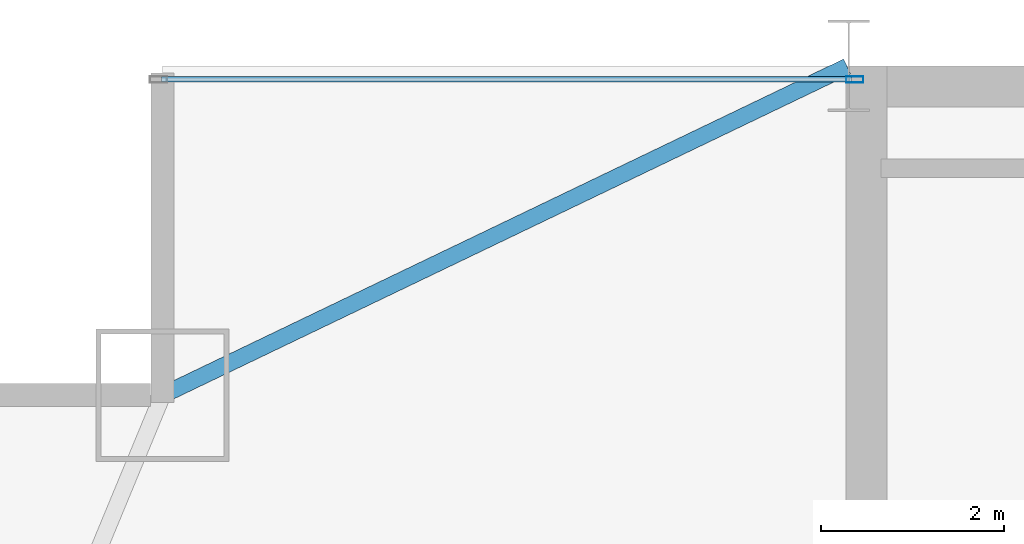
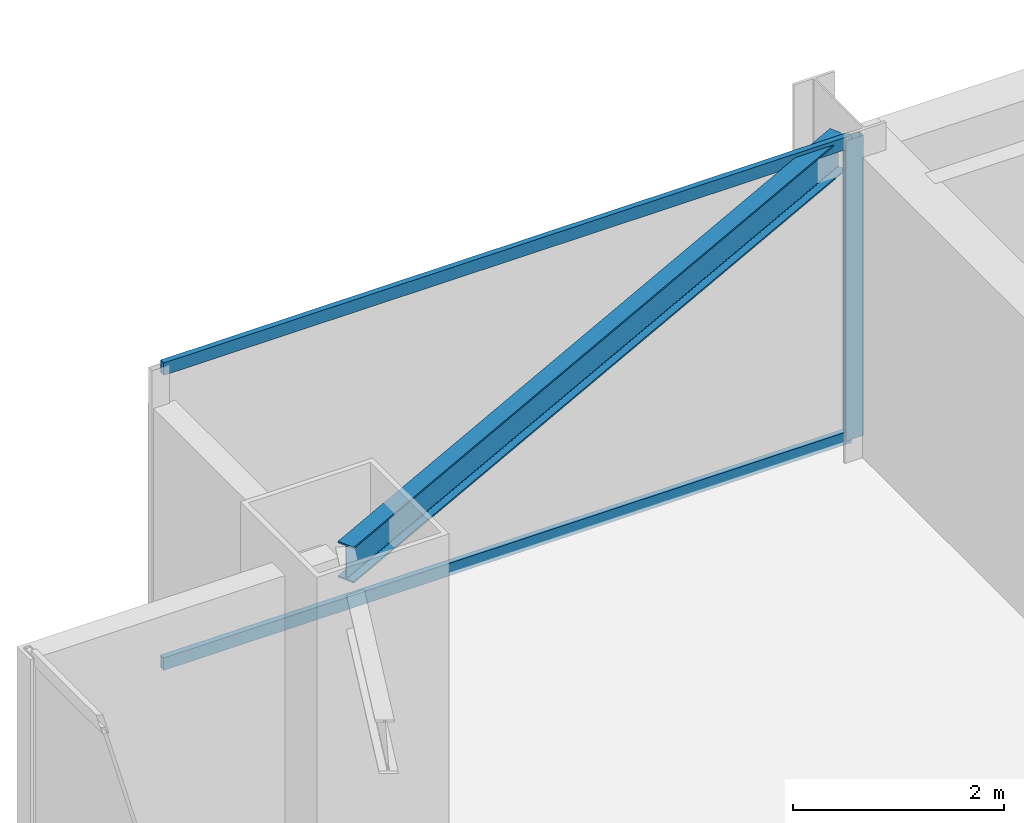
# One storey, part 22 of 33: 3 members, 1 beam, 1 element without a shape of its own.
"""IFC4 building model written with IfcOpenShell, lengths in metres."""

import ifcopenshell
import ifcopenshell.guid

model = None  # the IFC model being written
_history = None  # IfcOwnerHistory: only IFC2X3 demands one
_inside = {}  # id of a spatial element -> (the spatial element, [elements in it])
_under = {}  # id of a project, library or spatial element -> (it, [spatial elements below it])
_declared = {}  # id of a project -> (the project, [libraries it declares])
_typed = {}  # id of a type object -> (the type object, [elements of that type])
_made_of = {}  # id of a material, layer set ... -> (it, [elements and type objects made of it])


def new_model(schema):
    """Start an empty IFC model of exactly this schema.

    Asked for "IFC4X3", IfcOpenShell would pick the latest addendum, in which some entities
    have other attributes; the version numbers below select the first issue.
    IFC2X3 requires an IfcOwnerHistory on every rooted entity: one is made here for all.
    """
    global model, _history
    if schema == "IFC4X3":
        model = ifcopenshell.file(schema_version=(4, 3, 0, 0))
    else:
        model = ifcopenshell.file(schema=schema)
    _inside.clear()
    _under.clear()
    _declared.clear()
    _typed.clear()
    _made_of.clear()
    _history = None
    if model.schema == "IFC2X3":
        org = make("IfcOrganization", Name="unknown")
        user = make(
            "IfcPersonAndOrganization",
            ThePerson=make("IfcPerson", FamilyName="unknown"),
            TheOrganization=org,
        )
        app = make(
            "IfcApplication",
            ApplicationDeveloper=org,
            Version="unknown",
            ApplicationFullName="unknown",
            ApplicationIdentifier="unknown",
        )
        _history = make(
            "IfcOwnerHistory",
            OwningUser=user,
            OwningApplication=app,
            ChangeAction="ADDED",
            CreationDate=0,
        )
    return model


def make(cls, **values):
    """One entity of the class cls with the attributes given. An attribute that is None is left unset."""
    return model.create_entity(
        cls, **{name: value for name, value in values.items() if value is not None}
    )


def rooted(cls, **values):
    """An entity with a GlobalId (a new one), such as an element, a storey or a relation."""
    return make(cls, GlobalId=ifcopenshell.guid.new(), OwnerHistory=_history, **values)


def si_unit(unit_type, name, prefix=None):
    """IfcSIUnit, for example si_unit("LENGTHUNIT", "METRE", prefix="MILLI")."""
    return make("IfcSIUnit", UnitType=unit_type, Prefix=prefix, Name=name)


def assignment(units):
    """IfcUnitAssignment: the units of a project."""
    return None if units is None else make("IfcUnitAssignment", Units=units)


def point(xyz):
    """IfcCartesianPoint."""
    return None if xyz is None else make("IfcCartesianPoint", Coordinates=xyz)


def direction(xyz):
    """IfcDirection."""
    return None if xyz is None else make("IfcDirection", DirectionRatios=xyz)


def frame(location, z_axis=None, x_axis=None):
    """IfcAxis2Placement3D, a coordinate frame: its origin and axes. An axis left out is left unset."""
    return make(
        "IfcAxis2Placement3D",
        Location=point(location),
        Axis=direction(z_axis),
        RefDirection=direction(x_axis),
    )


def frame_2d(location, x_axis=None):
    """IfcAxis2Placement2D, a coordinate frame in the plane: its origin and x axis."""
    return make(
        "IfcAxis2Placement2D", Location=point(location), RefDirection=direction(x_axis)
    )


def origin():
    """The frame at (0, 0, 0) with its axes left unset."""
    return frame((0.0, 0.0, 0.0))


def origin_2d():
    """The frame at (0, 0) in the plane with its x axis left unset."""
    return frame_2d((0.0, 0.0))


def place(relative_to, where):
    """IfcLocalPlacement: puts the frame where relative to a parent placement (None: the world)."""
    return make(
        "IfcLocalPlacement", PlacementRelTo=relative_to, RelativePlacement=where
    )


def context(
    kind, dimensions, precision=None, world=None, true_north=None, identifier=None
):
    """IfcGeometricRepresentationContext, for example the 3D "Model" context."""
    return make(
        "IfcGeometricRepresentationContext",
        ContextIdentifier=identifier,
        ContextType=kind,
        CoordinateSpaceDimension=dimensions,
        Precision=precision,
        WorldCoordinateSystem=world,
        TrueNorth=true_north,
    )


def subcontext(parent, identifier, kind, view, scale=None):
    """IfcGeometricRepresentationSubContext, for example "Body" below "Model"."""
    return make(
        "IfcGeometricRepresentationSubContext",
        ContextIdentifier=identifier,
        ContextType=kind,
        ParentContext=parent,
        TargetScale=scale,
        TargetView=view,
    )


def project(units=None, contexts=None):
    """IfcProject with its units and contexts."""
    return rooted(
        "IfcProject",
        Name="project",
        RepresentationContexts=contexts,
        UnitsInContext=assignment(units),
    )


def spatial(cls, under=None, at=None, **own):
    """A site, building, storey or space (cls), placed at a placement, below another one or the project."""
    s = rooted(cls, ObjectPlacement=at, **own)
    if under is not None:
        _under.setdefault(under.id(), (under, []))[1].append(s)
    return s


def profile(cls, at=None, kind="AREA", **sizes):
    """A parametric profile (cls). Its sizes go by their IFC names, for example OverallWidth=200.0."""
    return make(cls, ProfileType=kind, Position=at, **sizes)


def hollow_rectangle(**sizes):
    """IfcRectangleHollowProfileDef."""
    return profile("IfcRectangleHollowProfileDef", **sizes)


def i_section(**sizes):
    """IfcIShapeProfileDef."""
    return profile("IfcIShapeProfileDef", **sizes)


def extrude(swept, where, along, depth):
    """IfcExtrudedAreaSolid: the profile swept, set in the frame where, extruded along a direction by depth."""
    return make(
        "IfcExtrudedAreaSolid",
        SweptArea=swept,
        Position=where,
        ExtrudedDirection=direction(along),
        Depth=depth,
    )


def shape(context_of_items, identifier, shape_type, items):
    """IfcShapeRepresentation: the items that make up one representation, for example the "Body"."""
    return make(
        "IfcShapeRepresentation",
        ContextOfItems=context_of_items,
        RepresentationIdentifier=identifier,
        RepresentationType=shape_type,
        Items=items,
    )


def source(mapping_origin, context_of_items, identifier, shape_type, items):
    """IfcRepresentationMap: a shape defined once, which mapped items show again and again."""
    return make(
        "IfcRepresentationMap",
        MappingOrigin=mapping_origin,
        MappedRepresentation=shape(context_of_items, identifier, shape_type, items),
    )


def transform(
    local_origin,
    x_axis=None,
    y_axis=None,
    z_axis=None,
    scale=None,
    scale2=None,
    scale3=None,
    uniform=True,
):
    """IfcCartesianTransformationOperator3D, or its non-uniform kind. x_axis, y_axis, z_axis: its Axis1, 2, 3."""
    if uniform:
        return make(
            "IfcCartesianTransformationOperator3D",
            Axis1=direction(x_axis),
            Axis2=direction(y_axis),
            LocalOrigin=point(local_origin),
            Scale=scale,
            Axis3=direction(z_axis),
        )
    return make(
        "IfcCartesianTransformationOperator3DnonUniform",
        Axis1=direction(x_axis),
        Axis2=direction(y_axis),
        LocalOrigin=point(local_origin),
        Scale=scale,
        Axis3=direction(z_axis),
        Scale2=scale2,
        Scale3=scale3,
    )


def mapped(mapping_source, mapping_target):
    """IfcMappedItem: shows the shape of a source again, moved by a transform."""
    return make(
        "IfcMappedItem", MappingSource=mapping_source, MappingTarget=mapping_target
    )


def material(Name=None, Category=None):
    """IfcMaterial."""
    return make("IfcMaterial", Name=Name, Category=Category)


def layer(
    of_material, thickness, ventilated=None, Name=None, Category=None, Priority=None
):
    """IfcMaterialLayer: one layer of a wall or slab, of a material (None: an air gap)."""
    return make(
        "IfcMaterialLayer",
        Material=of_material,
        LayerThickness=thickness,
        IsVentilated=ventilated,
        Name=Name,
        Category=Category,
        Priority=Priority,
    )


def layer_set(layers, Name=None):
    """IfcMaterialLayerSet."""
    return make("IfcMaterialLayerSet", MaterialLayers=layers, LayerSetName=Name)


def material_profile(
    of_material, cross_section, Name=None, Category=None, Priority=None
):
    """IfcMaterialProfile: a cross section and its material."""
    return make(
        "IfcMaterialProfile",
        Name=Name,
        Material=of_material,
        Profile=cross_section,
        Priority=Priority,
        Category=Category,
    )


def profile_set(profiles, Name=None, composite=None):
    """IfcMaterialProfileSet."""
    return make(
        "IfcMaterialProfileSet",
        Name=Name,
        MaterialProfiles=profiles,
        CompositeProfile=composite,
    )


def made_of(thing, what):
    """Note that an element or type object is made of a material, layer set ...; save() writes the relation."""
    if what is not None:
        _made_of.setdefault(what.id(), (what, []))[1].append(thing)
    return thing


def type_object(cls, material=None, **own):
    """A type object (cls), such as IfcWallType, which elements share."""
    return made_of(rooted(cls, **own), material)


def type_shapes(of_type, sources):
    """Give a type object the sources (RepresentationMaps) that its elements show as mapped items."""
    of_type.RepresentationMaps = sources


def element(
    cls,
    number,
    at=None,
    inside=None,
    cuts=None,
    type_object=None,
    material=None,
    context=None,
    identifier="Body",
    shape_type=None,
    held_by="IfcProductDefinitionShape",
    body=None,
    shapes=None,
    **own,
):
    """One element of the class cls, such as IfcWall. Its Tag is "e" and its number.

    at: its placement. inside: the storey or other place that contains it. cuts: it is an
    opening in that element (IfcRelVoidsElement). A single representation is given by context,
    identifier, shape_type and body (its items); several are given by shapes. held_by: the class
    of the entity that holds the representations. save() writes the other relations.
    """
    e = rooted(cls, Tag="e%d" % number, ObjectPlacement=at, **own)
    if body is not None:
        shapes = [shape(context, identifier, shape_type, body)]
    if shapes is not None:
        e.Representation = make(held_by, Representations=shapes)
    if inside is not None:
        _inside.setdefault(inside.id(), (inside, []))[1].append(e)
    if cuts is not None:
        rooted(
            "IfcRelVoidsElement", RelatingBuildingElement=cuts, RelatedOpeningElement=e
        )
    if type_object is not None:
        _typed.setdefault(type_object.id(), (type_object, []))[1].append(e)
    return made_of(e, material)


def aggregate(whole, parts):
    """IfcRelAggregates: a whole, such as a stair, and the parts it consists of."""
    return rooted("IfcRelAggregates", RelatingObject=whole, RelatedObjects=parts)


def save(model, path):
    """Write the relations noted so far, then the file.

    IfcRelAggregates (storeys below a building ...), IfcRelContainedInSpatialStructure (elements
    in a storey), IfcRelDefinesByType, IfcRelAssociatesMaterial and IfcRelDeclares: one each for
    every whole, place, type object, material and project.
    """
    for whole, parts in _under.values():
        aggregate(whole, parts)
    for where, things in _inside.values():
        rooted(
            "IfcRelContainedInSpatialStructure",
            RelatedElements=things,
            RelatingStructure=where,
        )
    for kind, things in _typed.values():
        rooted("IfcRelDefinesByType", RelatedObjects=things, RelatingType=kind)
    for what, things in _made_of.values():
        rooted("IfcRelAssociatesMaterial", RelatedObjects=things, RelatingMaterial=what)
    for by, libraries in _declared.values():
        rooted("IfcRelDeclares", RelatingContext=by, RelatedDefinitions=libraries)
    model.write(path)


model = new_model("IFC4")

# Units and contexts
model_context = context("Model", 3, precision=1e-05, world=origin(), true_north=direction((0.0, 1.0)))
body_context = subcontext(model_context, "Body", "Model", "MODEL_VIEW")
ifc_project = project(units=[si_unit("LENGTHUNIT", "METRE"), si_unit("AREAUNIT", "SQUARE_METRE"), si_unit("VOLUMEUNIT", "CUBIC_METRE"), si_unit("PLANEANGLEUNIT", "RADIAN"), si_unit("MASSUNIT", "GRAM", prefix="KILO")], contexts=[model_context])

# Site, building, storey
site_placement = place(None, origin())
site = spatial("IfcSite", under=ifc_project, at=site_placement, CompositionType="ELEMENT")
building_placement = place(site_placement, origin())
building = spatial("IfcBuilding", under=site, at=building_placement, Name="Varnel Quay Broadcast Tower", CompositionType="ELEMENT")
storey_placement = place(building_placement, frame((0.0, 0.0, 137.199951171875)))
storey = spatial("IfcBuildingStorey", under=building, at=storey_placement, Name="L33", CompositionType="ELEMENT", Elevation=137.199951171875)

# Beam
ifc_material_1 = material(Name="Structural Steel CSA G40.21 350W", Category="steel")
ifc_material_profile_1 = material_profile(ifc_material_1, i_section(OverallWidth=0.180908203125, OverallDepth=0.4169921875, WebThickness=0.010986328125, FlangeThickness=0.018310546875, FilletRadius=0.011962890625, at=origin_2d()), Name="W410X85")
ifc_profile_set_1 = profile_set([ifc_material_profile_1], Name="Structural Steel CSA G40.21 350W")
beam_type = type_object("IfcBeamType", Name="Beam_W410X85", PredefinedType="SPANDREL", material=ifc_profile_set_1)
shared_shape_1 = source(origin(), body_context, "Body", "SweptSolid", [
    extrude(i_section(OverallWidth=0.180908203125, OverallDepth=0.4169921875, WebThickness=0.010986328125, FlangeThickness=0.018310546875, FilletRadius=0.011962890625, at=origin_2d()), origin(), (0.0, 0.0, 1.0), 8.279296875),
])
type_shapes(beam_type, [shared_shape_1])
beam_placement = place(storey_placement, frame((8.117919921875, 43.208740234375, 3.271484375), z_axis=(0.901535021024, 0.432706142626, 0.0), x_axis=(-0.432706142626, 0.901535021024, 0.0)))
element("IfcBeam", 1, at=beam_placement, inside=storey, type_object=beam_type, Name="L33 NW Tie Spandrel", PredefinedType="SPANDREL", context=body_context, shape_type="MappedRepresentation", body=[
    mapped(shared_shape_1, transform((0.0, 0.0, 0.0), x_axis=(1.0, 0.0, 0.0), y_axis=(0.0, 1.0, 0.0), z_axis=(0.0, 0.0, 1.0), scale=1.0)),
])

# Curtain wall, members
ifc_material_2 = material(Name="Anodised Bronze Aluminium 6063-T6", Category="aluminium")
ifc_layer = layer(ifc_material_2, 0.18994140625, Name="Anodised Bronze Aluminium 6063-T6")
ifc_layer_set = layer_set([ifc_layer], Name="Anodised Bronze Aluminium 6063-T6")
curtain_wall_type = type_object("IfcCurtainWallType", Name="CW_LowerTower", PredefinedType="NOTDEFINED", material=ifc_layer_set)
curtain_wall_placement = place(storey_placement, origin())
curtain_wall = element("IfcCurtainWall", 2, at=curtain_wall_placement, inside=storey, type_object=curtain_wall_type, Name="L33 NW Wing Curtain Wall", PredefinedType="NOTDEFINED")
ifc_material_profile_2 = material_profile(ifc_material_2, hollow_rectangle(XDim=0.06005859375, YDim=0.14501953125, WallThickness=0.00341796875, at=origin_2d()), Name="ALU60X145X3.5")
ifc_profile_set_2 = profile_set([ifc_material_profile_2], Name="Anodised Bronze Aluminium 6063-T6")
member_type_1 = type_object("IfcMemberType", Name="Tran_CWS-02", PredefinedType="USERDEFINED", material=ifc_profile_set_2)
shared_shape_2 = source(origin(), body_context, "Body", "SweptSolid", [
    extrude(hollow_rectangle(XDim=0.06005859375, YDim=0.14501953125, WallThickness=0.00341796875, at=origin_2d()), origin(), (0.0, 0.0, 1.0), 7.539794921875),
])
type_shapes(member_type_1, [shared_shape_2])
member_1_placement = place(storey_placement, frame((8.090087890625, 46.64990234375, 0.030029296875), z_axis=(1.0, 0.0, 0.0), x_axis=(0.0, 1.0, 0.0)))
member_1 = element("IfcMember", 3, at=member_1_placement, type_object=member_type_1, Name="CWS-02 transom 1.1", ObjectType="TRANSOM", PredefinedType="USERDEFINED", context=body_context, shape_type="MappedRepresentation", body=[
    mapped(shared_shape_2, transform((0.0, 0.0, 0.0), x_axis=(1.0, 0.0, 0.0), y_axis=(0.0, 1.0, 0.0), z_axis=(0.0, 0.0, 1.0), scale=1.0)),
])
member_2_placement = place(storey_placement, frame((8.090087890625, 46.64990234375, 3.449951171875), z_axis=(1.0, 0.0, 0.0), x_axis=(0.0, 1.0, 0.0)))
member_2 = element("IfcMember", 4, at=member_2_placement, type_object=member_type_1, Name="CWS-02 transom 1.2", ObjectType="TRANSOM", PredefinedType="USERDEFINED", context=body_context, shape_type="MappedRepresentation", body=[
    mapped(shared_shape_2, transform((0.0, 0.0, 0.0), x_axis=(1.0, 0.0, 0.0), y_axis=(0.0, 1.0, 0.0), z_axis=(0.0, 0.0, 1.0), scale=1.0)),
])
ifc_material_profile_3 = material_profile(ifc_material_2, hollow_rectangle(XDim=0.070068359375, YDim=0.18994140625, WallThickness=0.00390625, at=origin_2d()), Name="ALU70X190X4")
ifc_profile_set_3 = profile_set([ifc_material_profile_3], Name="Anodised Bronze Aluminium 6063-T6")
member_type_2 = type_object("IfcMemberType", Name="Mull_CWS-02", PredefinedType="MULLION", material=ifc_profile_set_3)
shared_shape_3 = source(origin(), body_context, "Body", "SweptSolid", [
    extrude(hollow_rectangle(XDim=0.070068359375, YDim=0.18994140625, WallThickness=0.00390625, at=origin_2d()), origin(), (0.0, 0.0, 1.0), 3.47998046875),
])
type_shapes(member_type_2, [shared_shape_3])
member_3_placement = place(storey_placement, frame((15.6650390625, 46.64990234375, 0.0), z_axis=(0.0, 0.0, 1.0), x_axis=(0.0, 1.0, 0.0)))
member_3 = element("IfcMember", 5, at=member_3_placement, type_object=member_type_2, Name="CWS-02 mullion 2", PredefinedType="MULLION", context=body_context, shape_type="MappedRepresentation", body=[
    mapped(shared_shape_3, transform((0.0, 0.0, 0.0), x_axis=(1.0, 0.0, 0.0), y_axis=(0.0, 1.0, 0.0), z_axis=(0.0, 0.0, 1.0), scale=1.0)),
])
aggregate(curtain_wall, [member_3, member_1, member_2])

save(model, "model.ifc")
